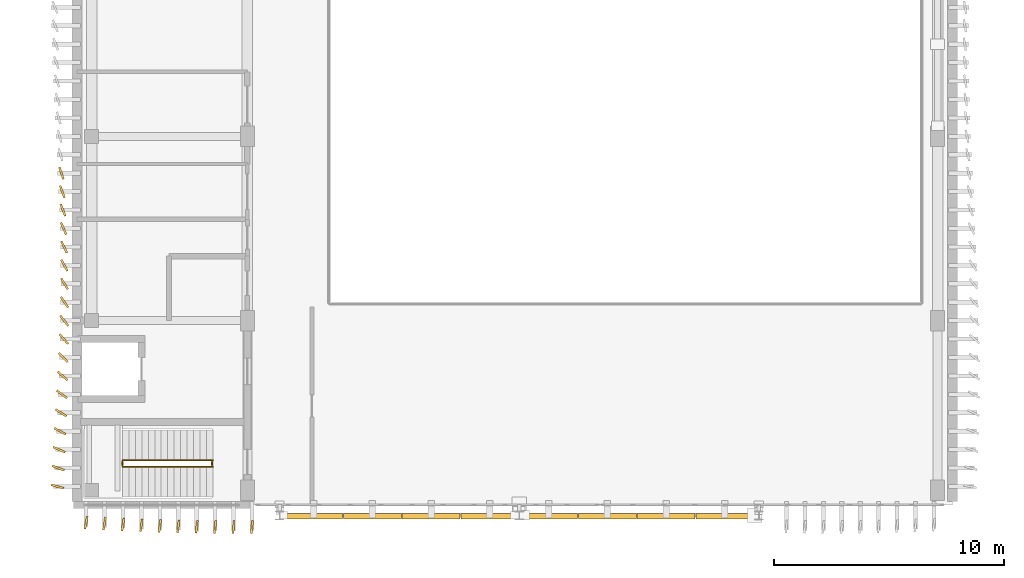
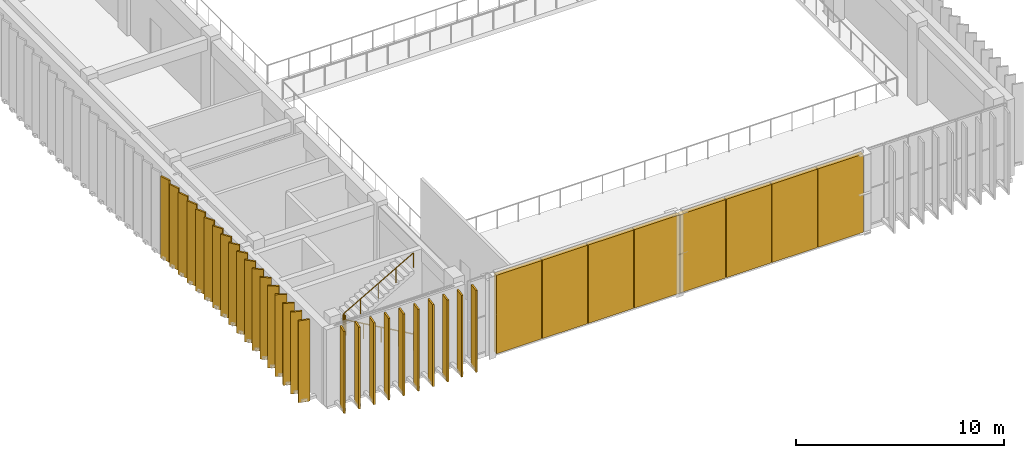
# One storey, part 52 of 64: 36 coverings, 4 railings.
"""IFC4 building model written with IfcOpenShell, lengths in metres."""

from ifc_helpers import new_model, si_unit, direction, frame, origin, origin_2d, place, context, subcontext, project, spatial, rectangle, circle, extrude, material, layer, layer_set, type_object, element, save


model = new_model("IFC4")

# Units and contexts
model_context = context("Model", 3, precision=1e-05, world=origin(), true_north=direction((0.0, 1.0)))
body_context = subcontext(model_context, "Body", "Model", "MODEL_VIEW")
ifc_project = project(units=[si_unit("LENGTHUNIT", "METRE"), si_unit("AREAUNIT", "SQUARE_METRE"), si_unit("VOLUMEUNIT", "CUBIC_METRE"), si_unit("PLANEANGLEUNIT", "RADIAN"), si_unit("MASSUNIT", "GRAM", prefix="KILO")], contexts=[model_context])

# Site, building, storey
site_placement = place(None, origin())
site = spatial("IfcSite", under=ifc_project, at=site_placement, CompositionType="ELEMENT")
building_placement = place(site_placement, origin())
building = spatial("IfcBuilding", under=site, at=building_placement, Name="Cinchona Park Media Centre", CompositionType="ELEMENT")
storey_placement = place(building_placement, frame((0.0, 0.0, 5.39990234375)))
storey = spatial("IfcBuildingStorey", under=building, at=storey_placement, Name="L01", CompositionType="ELEMENT", Elevation=5.39990234375)

# Coverings
ifc_material_1 = material(Name="Anodised Storm-Resistant Aluminium Fin", Category="aluminium")
ifc_layer_1 = layer(ifc_material_1, 0.090087890625)
ifc_layer_set_1 = layer_set([ifc_layer_1], Name="Anodised Storm-Resistant Aluminium Fin")
covering_type_1 = type_object("IfcCoveringType", Name="CLADDING-FIN01", PredefinedType="CLADDING", material=ifc_layer_set_1)
for number, where, z_axis, x_axis, name in (
    (1, (7.327880859375, 22.0, 0.0), (0.0, 0.0, 1.0), (0.306692204733, -0.951808747363, 0.0), "Twisting Vertical Facade Fin L01"),
    (2, (7.364013671875, 21.199951171875, 0.0), (0.0, 0.0, 1.0), (0.336766602676, -0.941588155895, 0.0), "Twisting Vertical Facade Fin L01"),
    (3, (7.39501953125, 20.39990234375, 0.0), (0.0, 0.0, 1.0), (0.368773569362, -0.929519259908, 0.0), "Twisting Vertical Facade Fin L01"),
    (4, (7.4208984375, 19.60009765625, 0.0), (0.0, 0.0, 1.0), (0.403066169295, -0.915170838243, 0.0), "Twisting Vertical Facade Fin L01"),
    (5, (7.44091796875, 18.800048828125, 0.0), (0.0, 0.0, 1.0), (0.439939169856, -0.898027575761, 0.0), "Twisting Vertical Facade Fin L01"),
    (6, (7.4541015625, 18.0, 0.0), (0.0, 0.0, 1.0), (0.479764158979, -0.877397487892, 0.0), "Twisting Vertical Facade Fin L01"),
    (7, (7.4599609375, 17.199951171875, 0.0), (0.0, 0.0, 1.0), (0.522200905326, -0.85282249881, 0.0), "Twisting Vertical Facade Fin L01"),
    (8, (7.4580078125, 16.39990234375, 0.0), (0.0, 0.0, 1.0), (0.567125206934, -0.823631592194, 0.0), "Twisting Vertical Facade Fin L01"),
    (9, (7.447998046875, 15.60009765625, 0.0), (0.0, 0.0, 1.0), (0.613871952452, -0.789405615633, 0.0), "Twisting Vertical Facade Fin L01"),
    (10, (7.431884765625, 14.800048828125, 0.0), (0.0, 0.0, 1.0), (0.661573663187, -0.749880182547, 0.0), "Twisting Vertical Facade Fin L01"),
    (11, (7.408935546875, 14.0, 0.0), (0.0, 0.0, 1.0), (0.70944774386, -0.704758042687, 0.0), "Twisting Vertical Facade Fin L01"),
    (12, (7.3798828125, 13.199951171875, 0.0), (0.0, 0.0, 1.0), (0.756538697576, -0.653948926958, 0.0), "Twisting Vertical Facade Fin L01"),
    (13, (7.345947265625, 12.39990234375, 0.0), (0.0, 0.0, 1.0), (0.801566984871, -0.597904983058, 0.0), "Twisting Vertical Facade Fin L01"),
    (14, (7.30908203125, 11.60009765625, 0.0), (0.0, 0.0, 1.0), (0.843578947371, -0.537005176466, 0.0), "Twisting Vertical Facade Fin L01"),
    (15, (7.27001953125, 10.800048828125, 0.0), (0.0, 0.0, 1.0), (0.881550758248, -0.472089250705, 0.0), "Twisting Vertical Facade Fin L01"),
    (16, (7.22998046875, 10.0, 0.0), (0.0, 0.0, 1.0), (0.914677717139, -0.404183960308, 0.0), "Twisting Vertical Facade Fin L01"),
    (17, (7.19091796875, 9.199951171875, 0.0), (0.0, 0.0, 1.0), (0.942466581022, -0.334300379384, 0.0), "Twisting Vertical Facade Fin L01"),
    (18, (7.154052734375, 8.39990234375, 0.0), (0.0, 0.0, 1.0), (0.964603458302, -0.263704698919, 0.0), "Twisting Vertical Facade Fin L01"),
    (19, (8.39990234375, 6.830078125, 0.0), (0.0, 0.0, 1.0), (0.182578735093, 0.983191235463, 0.0), "Twisting Vertical Facade Fin L01"),
    (20, (9.199951171875, 6.791015625, 0.0), (0.0, 0.0, 1.0), (0.166596655404, 0.98602512869, 0.0), "Twisting Vertical Facade Fin L01"),
    (21, (10.0, 6.75390625, 0.0), (0.0, 0.0, 1.0), (0.151433342672, 0.98846747176, 0.0), "Twisting Vertical Facade Fin L01"),
    (22, (10.800048828125, 6.719970703125, 0.0), (0.0, 0.0, 1.0), (0.137617420457, 0.990485459553, 0.0), "Twisting Vertical Facade Fin L01"),
    (23, (11.60009765625, 6.69091796875, 0.0), (0.0, 0.0, 1.0), (0.125679539283, 0.992070891321, 0.0), "Twisting Vertical Facade Fin L01"),
    (24, (12.39990234375, 6.66796875, 0.0), (0.0, 0.0, 1.0), (0.116150698194, 0.993231602049, 0.0), "Twisting Vertical Facade Fin L01"),
    (25, (13.199951171875, 6.652099609375, 0.0), (0.0, 0.0, 1.0), (0.109213859333, 0.994018275953, 0.0), "Twisting Vertical Facade Fin L01"),
    (26, (14.0, 6.64208984375, 0.0), (0.0, 0.0, 1.0), (0.105396307434, 0.994430298402, 0.0), "Twisting Vertical Facade Fin L01"),
    (27, (14.800048828125, 6.639892578125, 0.0), (0.0, 0.0, 1.0), (0.10470203849, 0.994503636562, 0.0), "Twisting Vertical Facade Fin L01"),
    (28, (15.60009765625, 6.64599609375, 0.0), (0.0, 0.0, 1.0), (0.106958224224, 0.994263515508, 0.0), "Twisting Vertical Facade Fin L01"),
):
    element("IfcCovering", number, at=place(storey_placement, frame(where, z_axis=z_axis, x_axis=x_axis)), inside=storey, type_object=covering_type_1, Name=name, PredefinedType="CLADDING", context=body_context, shape_type="SweptSolid", body=[
        extrude(rectangle(XDim=0.56005859375, YDim=0.090087890625, at=origin_2d()), origin(), (0.0, 0.0, 1.0), 4.800048828125),
    ])
ifc_material_2 = material(Name="Dark Micro-Perforated LED Projection Screen Matrix", Category="aluminium")
ifc_layer_2 = layer(ifc_material_2, 0.239990234375)
ifc_layer_set_2 = layer_set([ifc_layer_2], Name="Dark Micro-Perforated LED Projection Screen Matrix")
covering_type_2 = type_object("IfcCoveringType", Name="CLADDING-SCR01", PredefinedType="CLADDING", material=ifc_layer_set_2)
for number, where, z_axis, x_axis, name in (
    (29, (18.27490234375, 7.10009765625, 0.199951171875), (0.0, 0.0, 1.0), (1.0, 0.0, 0.0), "Entrance Projection Screen Matrix 1"),
    (30, (20.824951171875, 7.10009765625, 0.199951171875), (0.0, 0.0, 1.0), (1.0, 0.0, 0.0), "Entrance Projection Screen Matrix 2"),
    (31, (23.375, 7.10009765625, 0.199951171875), (0.0, 0.0, 1.0), (1.0, 0.0, 0.0), "Entrance Projection Screen Matrix 3"),
    (32, (25.925048828125, 7.10009765625, 0.199951171875), (0.0, 0.0, 1.0), (1.0, 0.0, 0.0), "Entrance Projection Screen Matrix 4"),
    (33, (28.47509765625, 7.10009765625, 0.199951171875), (0.0, 0.0, 1.0), (1.0, 0.0, 0.0), "Entrance Projection Screen Matrix 5"),
    (34, (31.02490234375, 7.10009765625, 0.199951171875), (0.0, 0.0, 1.0), (1.0, 0.0, 0.0), "Entrance Projection Screen Matrix 6"),
    (35, (33.574951171875, 7.10009765625, 0.199951171875), (0.0, 0.0, 1.0), (1.0, 0.0, 0.0), "Entrance Projection Screen Matrix 7"),
    (36, (36.125, 7.10009765625, 0.199951171875), (0.0, 0.0, 1.0), (1.0, 0.0, 0.0), "Entrance Projection Screen Matrix 8"),
):
    element("IfcCovering", number, at=place(storey_placement, frame(where, z_axis=z_axis, x_axis=x_axis)), inside=storey, type_object=covering_type_2, Name=name, PredefinedType="CLADDING", context=body_context, shape_type="SweptSolid", body=[
        extrude(rectangle(XDim=2.510009765625, YDim=0.239990234375, at=origin_2d()), origin(), (0.0, 0.0, 1.0), 4.60009765625),
    ])

# Railings
ifc_material_3 = material(Name="Painted Steel Stairwell Guardrail", Category="steel")
railing_type_1 = type_object("IfcRailingType", Name="RAILING-GR02", PredefinedType="GUARDRAIL", material=ifc_material_3)
for number, where, name in (
    (37, (13.864990234375, 9.320068359375, 0.0), "Stairwell Guardrail GR02 ST6 L01"),
    (38, (9.97998046875, 9.320068359375, 2.400146484375), "Half-Landing Guardrail GR02 ST6 L01"),
):
    element("IfcRailing", number, at=place(storey_placement, frame(where)), inside=storey, type_object=railing_type_1, Name=name, PredefinedType="GUARDRAIL", context=body_context, shape_type="SweptSolid", body=[
        extrude(circle(Radius=0.02392578125, at=origin_2d()), frame((0.0, 0.0, 1.076171875), z_axis=(0.0, 1.0, 0.0), x_axis=(-1.0, 0.0, 0.0)), (0.0, 0.0, 1.0), 0.159912109375),
        extrude(circle(Radius=0.02099609375, at=origin_2d()), origin(), (0.0, 0.0, 1.0), 1.052001953125),
        extrude(circle(Radius=0.02099609375, at=origin_2d()), frame((0.0, 0.159912109375, 0.0)), (0.0, 0.0, 1.0), 1.052001953125),
    ])
ifc_material_4 = material(Name="Brushed Stainless Steel Handrail", Category="steel")
railing_type_2 = type_object("IfcRailingType", Name="RAILING-HR01", PredefinedType="HANDRAIL", material=ifc_material_4)
railing_1_placement = place(storey_placement, frame((13.89990234375, 9.260009765625, 0.16015625)))
element("IfcRailing", 39, at=railing_1_placement, inside=storey, type_object=railing_type_2, Name="Stair Handrail HR01 ST6 L01 F1", PredefinedType="HANDRAIL", context=body_context, shape_type="SweptSolid", body=[
    extrude(circle(Radius=0.02392578125, at=origin_2d()), frame((0.0, 0.0, 0.8759765625), z_axis=(-0.868239814368, 0.0, 0.496144761885), x_axis=(0.0, -1.0, 0.0)), (0.0, 0.0, 1.0), 4.514892578125),
    extrude(circle(Radius=0.02099609375, at=origin_2d()), origin(), (0.0, 0.0, 1.0), 0.851806640625),
    extrude(circle(Radius=0.02099609375, at=origin_2d()), frame((-0.97998046875, 0.0, 0.56005859375)), (0.0, 0.0, 1.0), 0.851806640625),
    extrude(circle(Radius=0.02099609375, at=origin_2d()), frame((-1.9599609375, 0.0, 1.1201171875)), (0.0, 0.0, 1.0), 0.851806640625),
    extrude(circle(Radius=0.02099609375, at=origin_2d()), frame((-2.93994140625, 0.0, 1.679931640625)), (0.0, 0.0, 1.0), 0.851806640625),
    extrude(circle(Radius=0.02099609375, at=origin_2d()), frame((-3.919921875, 0.0, 2.239990234375)), (0.0, 0.0, 1.0), 0.851806640625),
])
railing_2_placement = place(storey_placement, frame((9.97998046875, 9.5400390625, 2.56005859375)))
element("IfcRailing", 40, at=railing_2_placement, inside=storey, type_object=railing_type_2, Name="Stair Handrail HR01 ST6 L01 F2", PredefinedType="HANDRAIL", context=body_context, shape_type="SweptSolid", body=[
    extrude(circle(Radius=0.02392578125, at=origin_2d()), frame((0.0, 0.0, 0.8759765625), z_axis=(0.868239814368, 0.0, 0.496144761885), x_axis=(0.0, 1.0, 0.0)), (0.0, 0.0, 1.0), 4.514892578125),
    extrude(circle(Radius=0.02099609375, at=origin_2d()), origin(), (0.0, 0.0, 1.0), 0.851806640625),
    extrude(circle(Radius=0.02099609375, at=origin_2d()), frame((0.97998046875, 0.0, 0.56005859375)), (0.0, 0.0, 1.0), 0.851806640625),
    extrude(circle(Radius=0.02099609375, at=origin_2d()), frame((1.9599609375, 0.0, 1.1201171875)), (0.0, 0.0, 1.0), 0.851806640625),
    extrude(circle(Radius=0.02099609375, at=origin_2d()), frame((2.93994140625, 0.0, 1.679931640625)), (0.0, 0.0, 1.0), 0.851806640625),
    extrude(circle(Radius=0.02099609375, at=origin_2d()), frame((3.919921875, 0.0, 2.239990234375)), (0.0, 0.0, 1.0), 0.851806640625),
])

save(model, "model.ifc")
